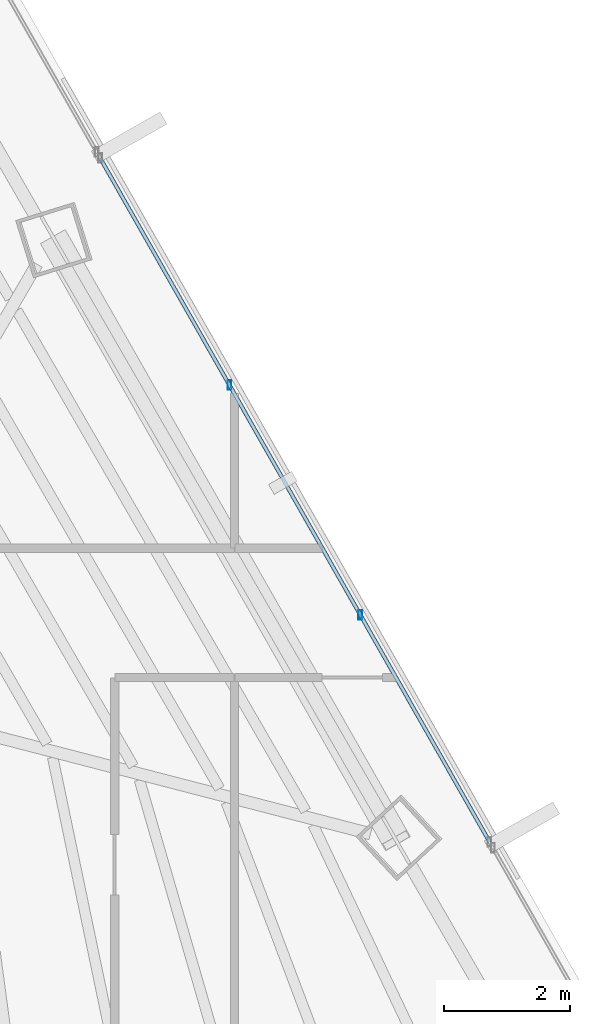
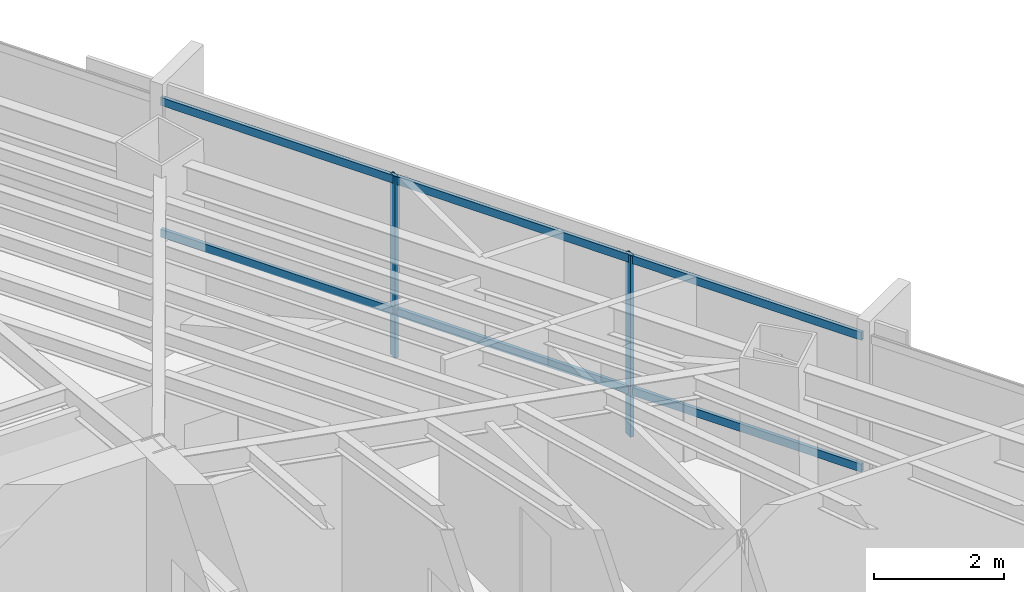
# One storey, part 25 of 38: 4 members, 1 element without a shape of its own.
"""IFC4 building model written with IfcOpenShell, lengths in metres."""

from ifc_helpers import new_model, si_unit, direction, frame, origin, origin_2d, place, context, subcontext, project, spatial, hollow_rectangle, extrude, source, transform, mapped, material, material_profile, profile_set, type_object, type_shapes, element, aggregate, save


model = new_model("IFC4")

# Units and contexts
model_context = context("Model", 3, precision=1e-05, world=origin(), true_north=direction((0.0, 1.0)))
body_context = subcontext(model_context, "Body", "Model", "MODEL_VIEW")
ifc_project = project(units=[si_unit("LENGTHUNIT", "METRE"), si_unit("AREAUNIT", "SQUARE_METRE"), si_unit("VOLUMEUNIT", "CUBIC_METRE"), si_unit("PLANEANGLEUNIT", "RADIAN"), si_unit("MASSUNIT", "GRAM", prefix="KILO")], contexts=[model_context])

# Site, building, storey
site_placement = place(None, origin())
site = spatial("IfcSite", under=ifc_project, at=site_placement, CompositionType="ELEMENT")
building_placement = place(site_placement, origin())
building = spatial("IfcBuilding", under=site, at=building_placement, Name="Caelisora Broadcast Tower", CompositionType="ELEMENT")
storey_placement = place(building_placement, frame((0.0, 0.0, 158.5)))
storey = spatial("IfcBuildingStorey", under=building, at=storey_placement, Name="L41", CompositionType="ELEMENT", Elevation=158.5)

# Curtain wall, members
ifc_material_1 = material(Name="Unitised Aluminium Insulated Shadow-Box Spandrel Curtain Wall", Category="aluminium")
curtain_wall_type = type_object("IfcCurtainWallType", Name="CW-SP2", PredefinedType="NOTDEFINED", material=ifc_material_1)
curtain_wall_placement = place(storey_placement, origin())
curtain_wall = element("IfcCurtainWall", 1, at=curtain_wall_placement, inside=storey, type_object=curtain_wall_type, Name="L41 curtain wall CW-SP2", PredefinedType="NOTDEFINED")
ifc_material_2 = material(Name="Aluminium 6063-T6 Anodised Terracotta Bronze", Category="aluminium")
ifc_material_profile_1 = material_profile(ifc_material_2, hollow_rectangle(XDim=0.06005859375, YDim=0.14990234375, WallThickness=0.00341796875, at=origin_2d()), Name="Aluminium 6063-T6 Anodised Terracotta Bronze")
ifc_profile_set_1 = profile_set([ifc_material_profile_1], Name="Aluminium 6063-T6 Anodised Terracotta Bronze")
member_type_1 = type_object("IfcMemberType", Name="CWM-03", PredefinedType="MULLION", material=ifc_profile_set_1)
shared_shape_1 = source(origin(), body_context, "Body", "SweptSolid", [
    extrude(hollow_rectangle(XDim=0.06005859375, YDim=0.14990234375, WallThickness=0.00341796875, at=origin_2d()), origin(), (0.0, 0.0, 1.0), 3.39990234375),
])
type_shapes(member_type_1, [shared_shape_1])
member_1_placement = place(storey_placement, frame((52.419677734375, 34.735595703125, 0.0), z_axis=(0.0, 0.0, 1.0), x_axis=(1.0, 0.0, 0.0)))
member_1 = element("IfcMember", 2, at=member_1_placement, type_object=member_type_1, Name="L41-CW-B02 mullion #1", PredefinedType="MULLION", context=body_context, shape_type="MappedRepresentation", body=[
    mapped(shared_shape_1, transform((0.0, 0.0, 0.0), scale=1.0)),
])
member_2_placement = place(storey_placement, frame((54.492919921875, 31.0947265625, 0.0), z_axis=(0.0, 0.0, 1.0), x_axis=(1.0, 0.0, 0.0)))
member_2 = element("IfcMember", 3, at=member_2_placement, type_object=member_type_1, Name="L41-CW-B02 mullion #2", PredefinedType="MULLION", context=body_context, shape_type="MappedRepresentation", body=[
    mapped(shared_shape_1, transform((0.0, 0.0, 0.0), scale=1.0)),
])
ifc_material_profile_2 = material_profile(ifc_material_2, hollow_rectangle(XDim=0.06005859375, YDim=0.14990234375, WallThickness=0.00341796875, at=origin_2d()), Name="Aluminium 6063-T6 Anodised Terracotta Bronze")
ifc_profile_set_2 = profile_set([ifc_material_profile_2], Name="Aluminium 6063-T6 Anodised Terracotta Bronze")
member_type_2 = type_object("IfcMemberType", Name="CWT-02", PredefinedType="USERDEFINED", material=ifc_profile_set_2)
shared_shape_2 = source(origin(), body_context, "Body", "SweptSolid", [
    extrude(hollow_rectangle(XDim=0.06005859375, YDim=0.14990234375, WallThickness=0.00341796875, at=origin_2d()), origin(), (0.0, 0.0, 1.0), 12.469970703125),
])
type_shapes(member_type_2, [shared_shape_2])
member_3_placement = place(storey_placement, frame((50.370849609375, 38.333251953125, 0.85009765625), z_axis=(0.494841698752, -0.868983137452, 0.0), x_axis=(0.868983137452, 0.494841698752, 0.0)))
member_3 = element("IfcMember", 4, at=member_3_placement, type_object=member_type_2, Name="L41-CW-B02 transom #1", ObjectType="TRANSOM", PredefinedType="USERDEFINED", context=body_context, shape_type="MappedRepresentation", body=[
    mapped(shared_shape_2, transform((0.0, 0.0, 0.0), scale=1.0)),
])
member_4_placement = place(storey_placement, frame((50.370849609375, 38.333251953125, 3.320068359375), z_axis=(0.494841698752, -0.868983137452, 0.0), x_axis=(0.868983137452, 0.494841698752, 0.0)))
member_4 = element("IfcMember", 5, at=member_4_placement, type_object=member_type_2, Name="L41-CW-B02 transom #2", ObjectType="TRANSOM", PredefinedType="USERDEFINED", context=body_context, shape_type="MappedRepresentation", body=[
    mapped(shared_shape_2, transform((0.0, 0.0, 0.0), scale=1.0)),
])
aggregate(curtain_wall, [member_1, member_2, member_3, member_4])

save(model, "model.ifc")
